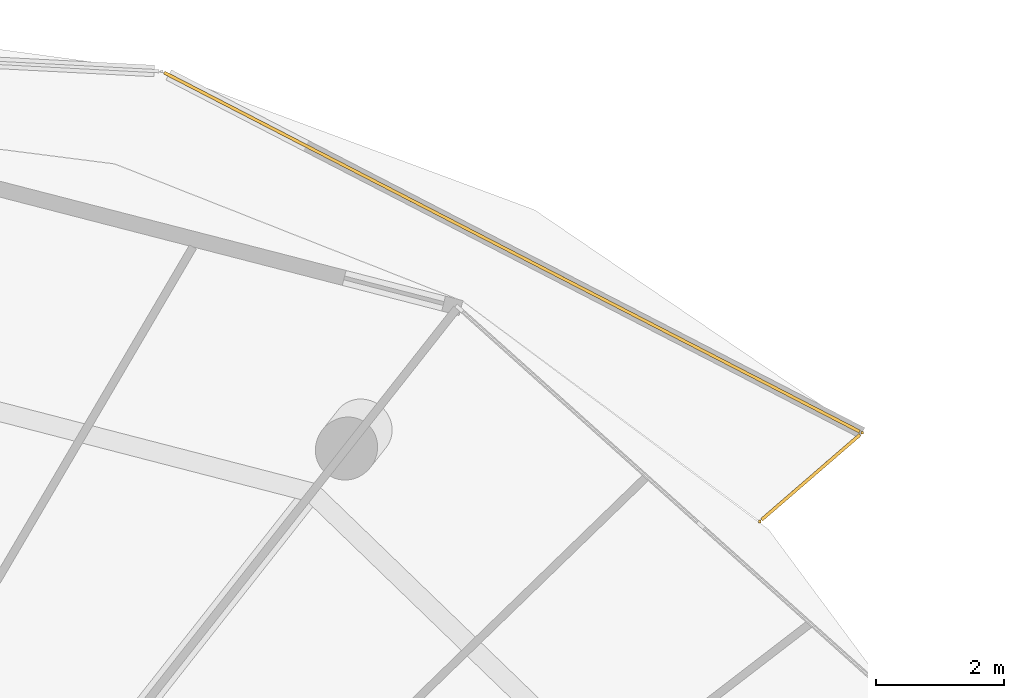
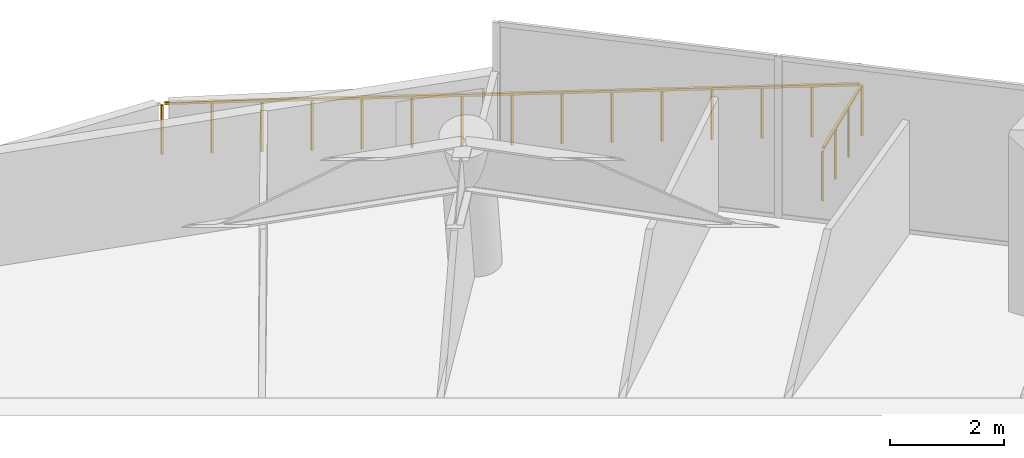
# One storey, part 30 of 30: 2 railings.
"""IFC4 building model written with IfcOpenShell, lengths in metres."""

from ifc_helpers import new_model, si_unit, direction, frame, origin, origin_2d, place, context, subcontext, project, spatial, rectangle, extrude, material, type_object, element, save


model = new_model("IFC4")

# Units and contexts
model_context = context("Model", 3, precision=1e-05, world=origin(), true_north=direction((0.0, 1.0)))
body_context = subcontext(model_context, "Body", "Model", "MODEL_VIEW")
ifc_project = project(units=[si_unit("LENGTHUNIT", "METRE"), si_unit("AREAUNIT", "SQUARE_METRE"), si_unit("VOLUMEUNIT", "CUBIC_METRE"), si_unit("PLANEANGLEUNIT", "RADIAN"), si_unit("MASSUNIT", "GRAM", prefix="KILO")], contexts=[model_context])

# Site, building, storey
site_placement = place(None, origin())
site = spatial("IfcSite", under=ifc_project, at=site_placement, CompositionType="ELEMENT")
building_placement = place(site_placement, origin())
building = spatial("IfcBuilding", under=site, at=building_placement, Name="Kazma Halo Residences", CompositionType="ELEMENT")
storey_placement = place(building_placement, frame((0.0, 0.0, 302.14990234375)))
storey = spatial("IfcBuildingStorey", under=building, at=storey_placement, Name="L76", CompositionType="ELEMENT", Elevation=302.14990234375)

# Railings
ifc_material = material(Name="Aluminium AW-6063 T6 Brushed Cap Rail", Category="aluminium")
railing_type = type_object("IfcRailingType", Name="RLG-BAL-CAP-1120", PredefinedType="BALUSTRADE", material=ifc_material)
railing_1_placement = place(storey_placement, frame((71.0400390625, 61.9228515625, 0.0)))
element("IfcRailing", 1, at=railing_1_placement, inside=storey, type_object=railing_type, Name="L76 NE wave balcony guard 1", PredefinedType="BALUSTRADE", context=body_context, shape_type="SweptSolid", body=[
    extrude(rectangle(XDim=0.050048828125, YDim=0.050048828125, at=origin_2d()), frame((0.0322265625, 0.02783203125, 1.09521484375), z_axis=(0.756474494399, 0.654023194791, 0.0), x_axis=(-0.654023194791, 0.756474494399, 0.0)), (0.0, 0.0, 1.0), 2.0263671875),
    extrude(rectangle(XDim=0.0400390625, YDim=0.0400390625, at=origin_2d()), origin(), (0.0, 0.0, 1.0), 1.05810546875),
    extrude(rectangle(XDim=0.0400390625, YDim=0.0400390625, at=origin_2d()), frame((0.532470703125, 0.460205078125, 0.0)), (0.0, 0.0, 1.0), 1.05810546875),
    extrude(rectangle(XDim=0.0400390625, YDim=0.0400390625, at=origin_2d()), frame((1.064697265625, 0.920654296875, 0.0)), (0.0, 0.0, 1.0), 1.05810546875),
    extrude(rectangle(XDim=0.0400390625, YDim=0.0400390625, at=origin_2d()), frame((1.59716796875, 1.380859375, 0.0)), (0.0, 0.0, 1.0), 1.05810546875),
])
railing_2_placement = place(storey_placement, frame((72.63720703125, 63.3037109375, 0.0)))
element("IfcRailing", 2, at=railing_2_placement, inside=storey, type_object=railing_type, Name="L76 NE wave balcony guard 2", PredefinedType="BALUSTRADE", context=body_context, shape_type="SweptSolid", body=[
    extrude(rectangle(XDim=0.050048828125, YDim=0.050048828125, at=origin_2d()), frame((-0.037841796875, 0.01953125, 1.09521484375), z_axis=(-0.888587460341, 0.458707232693, 0.0), x_axis=(-0.458707232693, -0.888587460341, 0.0)), (0.0, 0.0, 1.0), 12.1953125),
    extrude(rectangle(XDim=0.0400390625, YDim=0.0400390625, at=origin_2d()), origin(), (0.0, 0.0, 1.0), 1.05810546875),
    extrude(rectangle(XDim=0.0400390625, YDim=0.0400390625, at=origin_2d()), frame((-0.779541015625, 0.40234375, 0.0)), (0.0, 0.0, 1.0), 1.05810546875),
    extrude(rectangle(XDim=0.0400390625, YDim=0.0400390625, at=origin_2d()), frame((-1.558837890625, 0.8046875, 0.0)), (0.0, 0.0, 1.0), 1.05810546875),
    extrude(rectangle(XDim=0.0400390625, YDim=0.0400390625, at=origin_2d()), frame((-2.33837890625, 1.20703125, 0.0)), (0.0, 0.0, 1.0), 1.05810546875),
    extrude(rectangle(XDim=0.0400390625, YDim=0.0400390625, at=origin_2d()), frame((-3.11767578125, 1.609375, 0.0)), (0.0, 0.0, 1.0), 1.05810546875),
    extrude(rectangle(XDim=0.0400390625, YDim=0.0400390625, at=origin_2d()), frame((-3.897216796875, 2.01171875, 0.0)), (0.0, 0.0, 1.0), 1.05810546875),
    extrude(rectangle(XDim=0.0400390625, YDim=0.0400390625, at=origin_2d()), frame((-4.676513671875, 2.4140625, 0.0)), (0.0, 0.0, 1.0), 1.05810546875),
    extrude(rectangle(XDim=0.0400390625, YDim=0.0400390625, at=origin_2d()), frame((-5.4560546875, 2.81640625, 0.0)), (0.0, 0.0, 1.0), 1.05810546875),
    extrude(rectangle(XDim=0.0400390625, YDim=0.0400390625, at=origin_2d()), frame((-6.235595703125, 3.218994140625, 0.0)), (0.0, 0.0, 1.0), 1.05810546875),
    extrude(rectangle(XDim=0.0400390625, YDim=0.0400390625, at=origin_2d()), frame((-7.014892578125, 3.621337890625, 0.0)), (0.0, 0.0, 1.0), 1.05810546875),
    extrude(rectangle(XDim=0.0400390625, YDim=0.0400390625, at=origin_2d()), frame((-7.79443359375, 4.023681640625, 0.0)), (0.0, 0.0, 1.0), 1.05810546875),
    extrude(rectangle(XDim=0.0400390625, YDim=0.0400390625, at=origin_2d()), frame((-8.57373046875, 4.426025390625, 0.0)), (0.0, 0.0, 1.0), 1.05810546875),
    extrude(rectangle(XDim=0.0400390625, YDim=0.0400390625, at=origin_2d()), frame((-9.353271484375, 4.828369140625, 0.0)), (0.0, 0.0, 1.0), 1.05810546875),
    extrude(rectangle(XDim=0.0400390625, YDim=0.0400390625, at=origin_2d()), frame((-10.132568359375, 5.230712890625, 0.0)), (0.0, 0.0, 1.0), 1.05810546875),
    extrude(rectangle(XDim=0.0400390625, YDim=0.0400390625, at=origin_2d()), frame((-10.912109375, 5.633056640625, 0.0)), (0.0, 0.0, 1.0), 1.05810546875),
])

save(model, "model.ifc")
